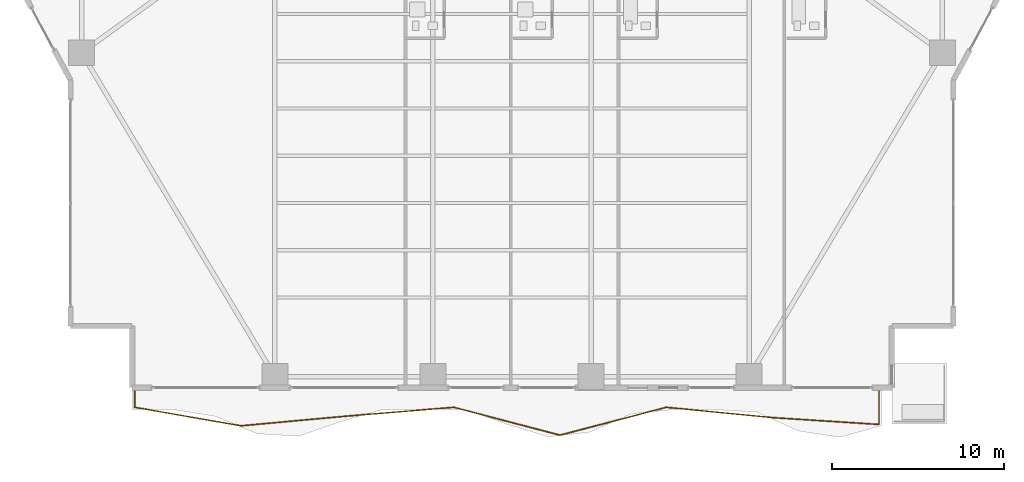
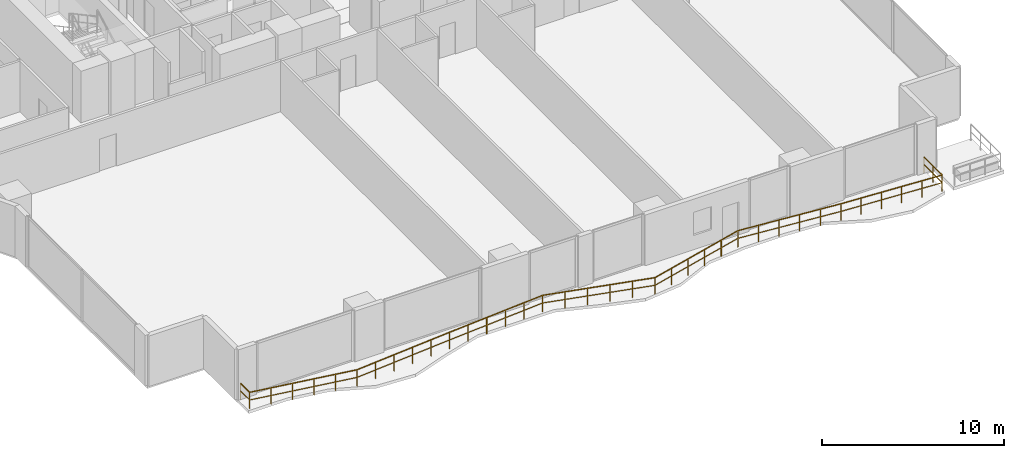
# One storey, part 24 of 30: 1 railing.
"""IFC4 building model written with IfcOpenShell, lengths in metres."""

from ifc_helpers import new_model, si_unit, direction, frame, origin, origin_2d, place, context, subcontext, project, spatial, rectangle, extrude, material, type_object, element, save


model = new_model("IFC4")

# Units and contexts
model_context = context("Model", 3, precision=1e-05, world=origin(), true_north=direction((0.0, 1.0)))
body_context = subcontext(model_context, "Body", "Model", "MODEL_VIEW")
ifc_project = project(units=[si_unit("LENGTHUNIT", "METRE"), si_unit("AREAUNIT", "SQUARE_METRE"), si_unit("VOLUMEUNIT", "CUBIC_METRE"), si_unit("PLANEANGLEUNIT", "RADIAN"), si_unit("MASSUNIT", "GRAM", prefix="KILO")], contexts=[model_context])

# Site, building, storey
site_placement = place(None, origin())
site = spatial("IfcSite", under=ifc_project, at=site_placement, CompositionType="ELEMENT")
building_placement = place(site_placement, origin())
building = spatial("IfcBuilding", under=site, at=building_placement, Name="Zuhayl Quay Hotel", CompositionType="ELEMENT")
storey_placement = place(building_placement, frame((0.0, 0.0, 86.0)))
storey = spatial("IfcBuildingStorey", under=building, at=storey_placement, Name="L21", CompositionType="ELEMENT", Elevation=86.0)

# Railing
ifc_material = material(Name="Anodised Aluminium and Laminated Glass", Category="aluminium")
railing_type = type_object("IfcRailingType", Name="RL_EXT_BAL_1100", PredefinedType="BALUSTRADE", material=ifc_material)
railing_placement = place(storey_placement, frame((-21.9599609375, -23.219970703125, 0.0)))
element("IfcRailing", 1, at=railing_placement, inside=storey, type_object=railing_type, Name="L21 Balcony and Terrace Guard GR_L21_BAL_S", PredefinedType="BALUSTRADE", context=body_context, shape_type="SweptSolid", body=[
    extrude(rectangle(XDim=0.048095703125, YDim=0.048095703125, at=origin_2d()), frame((0.0, 0.0, 1.09619140625), z_axis=(0.0, -1.0, 0.0), x_axis=(1.0, 0.0, 0.0)), (0.0, 0.0, 1.0), 1.02001953125),
    extrude(rectangle(XDim=0.0361328125, YDim=0.0361328125, at=origin_2d()), frame((0.0, 0.0, 0.58251953125), z_axis=(0.0, -1.0, 0.0), x_axis=(1.0, 0.0, 0.0)), (0.0, 0.0, 1.0), 1.02001953125),
    extrude(rectangle(XDim=0.048095703125, YDim=0.048095703125, at=origin_2d()), frame((0.0, -1.02001953125, 1.09619140625), z_axis=(0.985214036862, -0.171328052489, 0.0), x_axis=(0.171328052489, 0.985214036862, 0.0)), (0.0, 0.0, 1.0), 6.28125),
    extrude(rectangle(XDim=0.0361328125, YDim=0.0361328125, at=origin_2d()), frame((0.0, -1.02001953125, 0.58251953125), z_axis=(0.985214036862, -0.171328052489, 0.0), x_axis=(0.171328052489, 0.985214036862, 0.0)), (0.0, 0.0, 1.0), 6.28125),
    extrude(rectangle(XDim=0.048095703125, YDim=0.048095703125, at=origin_2d()), frame((6.1884765625, -2.09619140625, 1.09619140625), z_axis=(0.995819784274, 0.09133979006, 0.0), x_axis=(-0.09133979006, 0.995819784274, 0.0)), (0.0, 0.0, 1.0), 6.21435546875),
    extrude(rectangle(XDim=0.0361328125, YDim=0.0361328125, at=origin_2d()), frame((6.1884765625, -2.09619140625, 0.58251953125), z_axis=(0.995819784274, 0.09133979006, 0.0), x_axis=(-0.09133979006, 0.995819784274, 0.0)), (0.0, 0.0, 1.0), 6.21435546875),
    extrude(rectangle(XDim=0.048095703125, YDim=0.048095703125, at=origin_2d()), frame((12.376953125, -1.528564453125, 1.09619140625), z_axis=(0.996640812326, 0.081896832699, 0.0), x_axis=(-0.081896832699, 0.996640812326, 0.0)), (0.0, 0.0, 1.0), 6.20947265625),
    extrude(rectangle(XDim=0.0361328125, YDim=0.0361328125, at=origin_2d()), frame((12.376953125, -1.528564453125, 0.58251953125), z_axis=(0.996640812326, 0.081896832699, 0.0), x_axis=(-0.081896832699, 0.996640812326, 0.0)), (0.0, 0.0, 1.0), 6.20947265625),
    extrude(rectangle(XDim=0.048095703125, YDim=0.048095703125, at=origin_2d()), frame((18.565673828125, -1.02001953125, 1.09619140625), z_axis=(0.967435445773, -0.253117874245, 0.0), x_axis=(0.253117874245, 0.967435445773, 0.0)), (0.0, 0.0, 1.0), 6.396728515625),
    extrude(rectangle(XDim=0.0361328125, YDim=0.0361328125, at=origin_2d()), frame((18.565673828125, -1.02001953125, 0.58251953125), z_axis=(0.967435445773, -0.253117874245, 0.0), x_axis=(0.253117874245, 0.967435445773, 0.0)), (0.0, 0.0, 1.0), 6.396728515625),
    extrude(rectangle(XDim=0.048095703125, YDim=0.048095703125, at=origin_2d()), frame((24.754150390625, -2.63916015625, 1.09619140625), z_axis=(0.967437890891, 0.253108528636, 0.0), x_axis=(-0.253108528636, 0.967437890891, 0.0)), (0.0, 0.0, 1.0), 6.39697265625),
    extrude(rectangle(XDim=0.0361328125, YDim=0.0361328125, at=origin_2d()), frame((24.754150390625, -2.63916015625, 0.58251953125), z_axis=(0.967437890891, 0.253108528636, 0.0), x_axis=(-0.253108528636, 0.967437890891, 0.0)), (0.0, 0.0, 1.0), 6.39697265625),
    extrude(rectangle(XDim=0.048095703125, YDim=0.048095703125, at=origin_2d()), frame((30.94287109375, -1.02001953125, 1.09619140625), z_axis=(0.995331292529, -0.096517449781, 0.0), x_axis=(0.096517449781, 0.995331292529, 0.0)), (0.0, 0.0, 1.0), 6.217529296875),
    extrude(rectangle(XDim=0.0361328125, YDim=0.0361328125, at=origin_2d()), frame((30.94287109375, -1.02001953125, 0.58251953125), z_axis=(0.995331292529, -0.096517449781, 0.0), x_axis=(0.096517449781, 0.995331292529, 0.0)), (0.0, 0.0, 1.0), 6.217529296875),
    extrude(rectangle(XDim=0.048095703125, YDim=0.048095703125, at=origin_2d()), frame((37.13134765625, -1.6201171875, 1.09619140625), z_axis=(0.997941514018, -0.064130605796, 0.0), x_axis=(0.064130605796, 0.997941514018, 0.0)), (0.0, 0.0, 1.0), 6.201416015625),
    extrude(rectangle(XDim=0.0361328125, YDim=0.0361328125, at=origin_2d()), frame((37.13134765625, -1.6201171875, 0.58251953125), z_axis=(0.997941514018, -0.064130605796, 0.0), x_axis=(0.064130605796, 0.997941514018, 0.0)), (0.0, 0.0, 1.0), 6.201416015625),
    extrude(rectangle(XDim=0.048095703125, YDim=0.048095703125, at=origin_2d()), frame((43.320068359375, -2.017822265625, 1.09619140625), z_axis=(0.0, 1.0, 0.0), x_axis=(-1.0, 0.0, 0.0)), (0.0, 0.0, 1.0), 2.017822265625),
    extrude(rectangle(XDim=0.0361328125, YDim=0.0361328125, at=origin_2d()), frame((43.320068359375, -2.017822265625, 0.58251953125), z_axis=(0.0, 1.0, 0.0), x_axis=(-1.0, 0.0, 0.0)), (0.0, 0.0, 1.0), 2.017822265625),
    extrude(rectangle(XDim=0.0419921875, YDim=0.0419921875, at=origin_2d()), origin(), (0.0, 0.0, 1.0), 1.072021484375),
    extrude(rectangle(XDim=0.0419921875, YDim=0.0419921875, at=origin_2d()), frame((0.0, -1.02001953125, 0.0)), (0.0, 0.0, 1.0), 1.072021484375),
    extrude(rectangle(XDim=0.0419921875, YDim=0.0419921875, at=origin_2d()), frame((1.23779296875, -1.2353515625, 0.0)), (0.0, 0.0, 1.0), 1.072021484375),
    extrude(rectangle(XDim=0.0419921875, YDim=0.0419921875, at=origin_2d()), frame((2.475341796875, -1.450439453125, 0.0)), (0.0, 0.0, 1.0), 1.072021484375),
    extrude(rectangle(XDim=0.0419921875, YDim=0.0419921875, at=origin_2d()), frame((3.713134765625, -1.665771484375, 0.0)), (0.0, 0.0, 1.0), 1.072021484375),
    extrude(rectangle(XDim=0.0419921875, YDim=0.0419921875, at=origin_2d()), frame((4.95068359375, -1.880859375, 0.0)), (0.0, 0.0, 1.0), 1.072021484375),
    extrude(rectangle(XDim=0.0419921875, YDim=0.0419921875, at=origin_2d()), frame((6.1884765625, -2.09619140625, 0.0)), (0.0, 0.0, 1.0), 1.072021484375),
    extrude(rectangle(XDim=0.0419921875, YDim=0.0419921875, at=origin_2d()), frame((7.42626953125, -1.982666015625, 0.0)), (0.0, 0.0, 1.0), 1.072021484375),
    extrude(rectangle(XDim=0.0419921875, YDim=0.0419921875, at=origin_2d()), frame((8.663818359375, -1.869140625, 0.0)), (0.0, 0.0, 1.0), 1.072021484375),
    extrude(rectangle(XDim=0.0419921875, YDim=0.0419921875, at=origin_2d()), frame((9.901611328125, -1.755615234375, 0.0)), (0.0, 0.0, 1.0), 1.072021484375),
    extrude(rectangle(XDim=0.0419921875, YDim=0.0419921875, at=origin_2d()), frame((11.13916015625, -1.64208984375, 0.0)), (0.0, 0.0, 1.0), 1.072021484375),
    extrude(rectangle(XDim=0.0419921875, YDim=0.0419921875, at=origin_2d()), frame((12.376953125, -1.528564453125, 0.0)), (0.0, 0.0, 1.0), 1.072021484375),
    extrude(rectangle(XDim=0.0419921875, YDim=0.0419921875, at=origin_2d()), frame((13.61474609375, -1.4267578125, 0.0)), (0.0, 0.0, 1.0), 1.072021484375),
    extrude(rectangle(XDim=0.0419921875, YDim=0.0419921875, at=origin_2d()), frame((14.8525390625, -1.3251953125, 0.0)), (0.0, 0.0, 1.0), 1.072021484375),
    extrude(rectangle(XDim=0.0419921875, YDim=0.0419921875, at=origin_2d()), frame((16.090087890625, -1.223388671875, 0.0)), (0.0, 0.0, 1.0), 1.072021484375),
    extrude(rectangle(XDim=0.0419921875, YDim=0.0419921875, at=origin_2d()), frame((17.327880859375, -1.121826171875, 0.0)), (0.0, 0.0, 1.0), 1.072021484375),
    extrude(rectangle(XDim=0.0419921875, YDim=0.0419921875, at=origin_2d()), frame((18.565673828125, -1.02001953125, 0.0)), (0.0, 0.0, 1.0), 1.072021484375),
    extrude(rectangle(XDim=0.0419921875, YDim=0.0419921875, at=origin_2d()), frame((19.803466796875, -1.34375, 0.0)), (0.0, 0.0, 1.0), 1.072021484375),
    extrude(rectangle(XDim=0.0419921875, YDim=0.0419921875, at=origin_2d()), frame((21.041015625, -1.667724609375, 0.0)), (0.0, 0.0, 1.0), 1.072021484375),
    extrude(rectangle(XDim=0.0419921875, YDim=0.0419921875, at=origin_2d()), frame((22.27880859375, -1.991455078125, 0.0)), (0.0, 0.0, 1.0), 1.072021484375),
    extrude(rectangle(XDim=0.0419921875, YDim=0.0419921875, at=origin_2d()), frame((23.516357421875, -2.3154296875, 0.0)), (0.0, 0.0, 1.0), 1.072021484375),
    extrude(rectangle(XDim=0.0419921875, YDim=0.0419921875, at=origin_2d()), frame((24.754150390625, -2.63916015625, 0.0)), (0.0, 0.0, 1.0), 1.072021484375),
    extrude(rectangle(XDim=0.0419921875, YDim=0.0419921875, at=origin_2d()), frame((25.991943359375, -2.3154296875, 0.0)), (0.0, 0.0, 1.0), 1.072021484375),
    extrude(rectangle(XDim=0.0419921875, YDim=0.0419921875, at=origin_2d()), frame((27.229736328125, -1.991455078125, 0.0)), (0.0, 0.0, 1.0), 1.072021484375),
    extrude(rectangle(XDim=0.0419921875, YDim=0.0419921875, at=origin_2d()), frame((28.46728515625, -1.667724609375, 0.0)), (0.0, 0.0, 1.0), 1.072021484375),
    extrude(rectangle(XDim=0.0419921875, YDim=0.0419921875, at=origin_2d()), frame((29.705078125, -1.34375, 0.0)), (0.0, 0.0, 1.0), 1.072021484375),
    extrude(rectangle(XDim=0.0419921875, YDim=0.0419921875, at=origin_2d()), frame((30.94287109375, -1.02001953125, 0.0)), (0.0, 0.0, 1.0), 1.072021484375),
    extrude(rectangle(XDim=0.0419921875, YDim=0.0419921875, at=origin_2d()), frame((32.1806640625, -1.14013671875, 0.0)), (0.0, 0.0, 1.0), 1.072021484375),
    extrude(rectangle(XDim=0.0419921875, YDim=0.0419921875, at=origin_2d()), frame((33.418212890625, -1.260009765625, 0.0)), (0.0, 0.0, 1.0), 1.072021484375),
    extrude(rectangle(XDim=0.0419921875, YDim=0.0419921875, at=origin_2d()), frame((34.656005859375, -1.380126953125, 0.0)), (0.0, 0.0, 1.0), 1.072021484375),
    extrude(rectangle(XDim=0.0419921875, YDim=0.0419921875, at=origin_2d()), frame((35.8935546875, -1.5, 0.0)), (0.0, 0.0, 1.0), 1.072021484375),
    extrude(rectangle(XDim=0.0419921875, YDim=0.0419921875, at=origin_2d()), frame((37.13134765625, -1.6201171875, 0.0)), (0.0, 0.0, 1.0), 1.072021484375),
    extrude(rectangle(XDim=0.0419921875, YDim=0.0419921875, at=origin_2d()), frame((38.369140625, -1.69970703125, 0.0)), (0.0, 0.0, 1.0), 1.072021484375),
    extrude(rectangle(XDim=0.0419921875, YDim=0.0419921875, at=origin_2d()), frame((39.60693359375, -1.779296875, 0.0)), (0.0, 0.0, 1.0), 1.072021484375),
    extrude(rectangle(XDim=0.0419921875, YDim=0.0419921875, at=origin_2d()), frame((40.844482421875, -1.858642578125, 0.0)), (0.0, 0.0, 1.0), 1.072021484375),
    extrude(rectangle(XDim=0.0419921875, YDim=0.0419921875, at=origin_2d()), frame((42.082275390625, -1.938232421875, 0.0)), (0.0, 0.0, 1.0), 1.072021484375),
    extrude(rectangle(XDim=0.0419921875, YDim=0.0419921875, at=origin_2d()), frame((43.320068359375, -2.017822265625, 0.0)), (0.0, 0.0, 1.0), 1.072021484375),
    extrude(rectangle(XDim=0.0419921875, YDim=0.0419921875, at=origin_2d()), frame((43.320068359375, -1.0087890625, 0.0)), (0.0, 0.0, 1.0), 1.072021484375),
    extrude(rectangle(XDim=0.0419921875, YDim=0.0419921875, at=origin_2d()), frame((43.320068359375, 0.0, 0.0)), (0.0, 0.0, 1.0), 1.072021484375),
])

save(model, "model.ifc")
